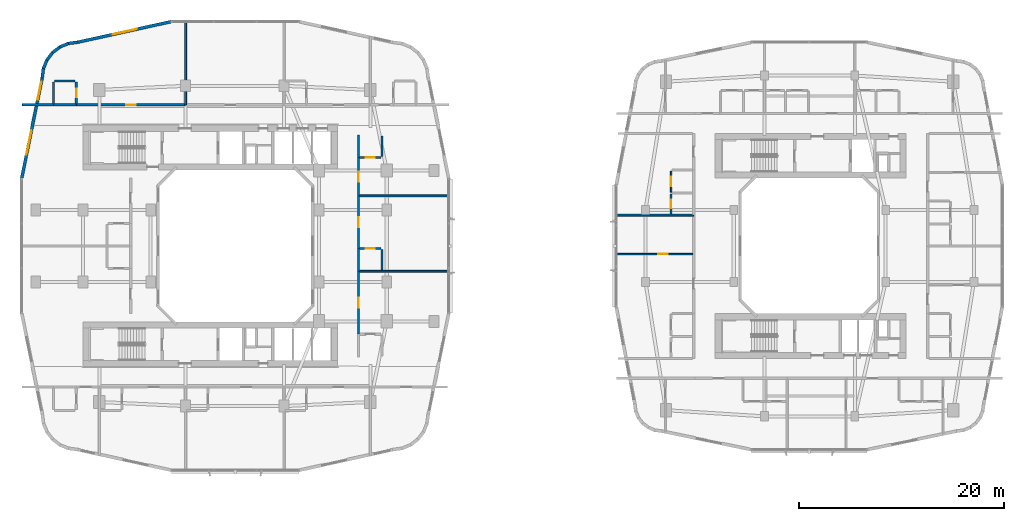
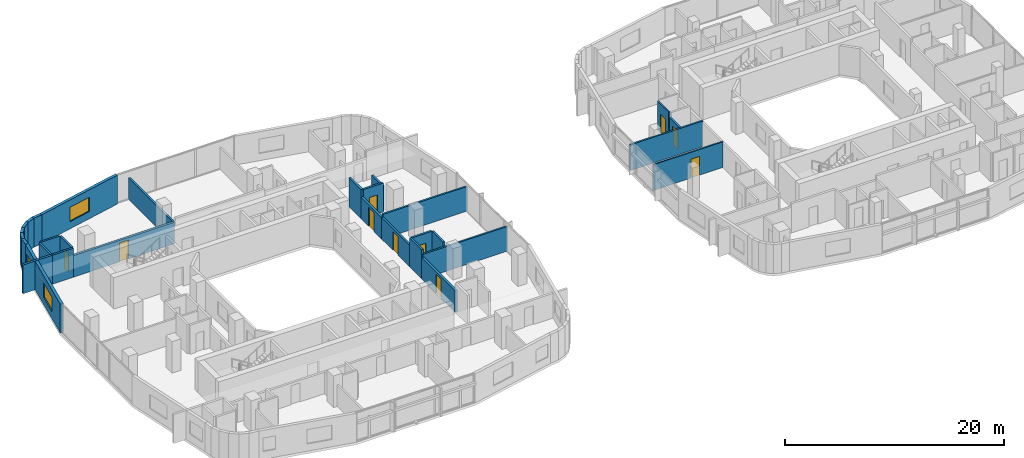
# One storey, part 16 of 27: 30 walls, 10 doors, 3 windows, 13 openings.
"""IFC4 building model written with IfcOpenShell, lengths in metres."""

from ifc_helpers import new_model, si_unit, derived_unit, direction, frame, frame_2d, origin, place, context, subcontext, project, spatial, rectangle, extrude, material, layer, layer_set, type_object, element, fill, save


model = new_model("IFC4")

# Units and contexts
model_context = context("Model", 3, precision=1e-05, world=origin(), true_north=direction((0.0, 1.0)))
body_context = subcontext(model_context, "Body", "Model", "MODEL_VIEW")
ifc_project = project(units=[si_unit("LENGTHUNIT", "METRE"), si_unit("AREAUNIT", "SQUARE_METRE"), si_unit("VOLUMEUNIT", "CUBIC_METRE"), si_unit("PLANEANGLEUNIT", "RADIAN"), si_unit("MASSUNIT", "GRAM", prefix="KILO"), derived_unit("THERMALTRANSMITTANCEUNIT", [(si_unit("POWERUNIT", "WATT"), 1), (si_unit("LENGTHUNIT", "METRE"), -2), (si_unit("THERMODYNAMICTEMPERATUREUNIT", "KELVIN"), -1)])], contexts=[model_context])

# Site, building, storey
site_placement = place(None, origin())
site = spatial("IfcSite", under=ifc_project, at=site_placement, CompositionType="ELEMENT")
building_placement = place(site_placement, origin())
building = spatial("IfcBuilding", under=site, at=building_placement, Name="Kivonza Crest Hotel", CompositionType="ELEMENT")
storey_placement = place(building_placement, frame((0.0, 0.0, 31.0)))
storey = spatial("IfcBuildingStorey", under=building, at=storey_placement, Name="L07", CompositionType="ELEMENT", Elevation=31.0)

# Walls
ifc_material_1 = material(Name="High-density acoustic masonry inter-tenancy wall", Category="masonry")
ifc_layer_1 = layer(ifc_material_1, 0.179931640625)
ifc_layer_set_1 = layer_set([ifc_layer_1], Name="High-density acoustic masonry inter-tenancy wall")
wall_type_1 = type_object("IfcWallType", Name="WL-ACOU-180", PredefinedType="SOLIDWALL", material=ifc_layer_set_1)
wall_1_placement = place(storey_placement, frame((16.199951171875, 38.75, 0.0), z_axis=(0.0, 0.0, 1.0), x_axis=(0.0, 1.0, 0.0)))
element("IfcWall", 1, at=wall_1_placement, inside=storey, type_object=wall_type_1, Name="L07 interior partition WA-L07-T1N-DIV1", PredefinedType="SOLIDWALL", context=body_context, shape_type="SweptSolid", body=[
    extrude(rectangle(XDim=8.18994140625, YDim=0.179931640625, at=frame_2d((4.094970703125, 0.0))), origin(), (0.0, 0.0, 1.0), 2.39501953125),
])
for number, where, z_axis, x_axis, name in (
    (2, (33.050048828125, 22.533935546875, 0.0), (0.0, 0.0, 1.0), (1.0, 0.0, 0.0), "L07 interior partition WA-L07-T1E-DIV1"),
    (3, (33.050048828125, 29.8779296875, 0.0), (0.0, 0.0, 1.0), (1.0, 0.0, 0.0), "L07 interior partition WA-L07-T1E-DIV2"),
):
    element("IfcWall", number, at=place(storey_placement, frame(where, z_axis=z_axis, x_axis=x_axis)), inside=storey, type_object=wall_type_1, Name=name, PredefinedType="SOLIDWALL", context=body_context, shape_type="SweptSolid", body=[
        extrude(rectangle(XDim=8.889892578125, YDim=0.179931640625, at=frame_2d((4.44482421875, 0.0))), origin(), (0.0, 0.0, 1.0), 2.7451171875),
    ])
wall_2_placement = place(storey_placement, frame((58.06005859375, 28.0, 0.0), z_axis=(0.0, 0.0, 1.0), x_axis=(1.0, 0.0, 0.0)))
element("IfcWall", 4, at=wall_2_placement, inside=storey, type_object=wall_type_1, Name="L07 interior partition WA-L07-T2W-DIV1", PredefinedType="SOLIDWALL", context=body_context, shape_type="SweptSolid", body=[
    extrude(rectangle(XDim=7.639892578125, YDim=0.179931640625, at=frame_2d((3.81982421875, 0.0))), origin(), (0.0, 0.0, 1.0), 2.864990234375),
])
ifc_material_2 = material(Name="Autoclaved aerated concrete blockwork", Category="masonry")
ifc_layer_2 = layer(ifc_material_2, 0.219970703125)
ifc_layer_set_2 = layer_set([ifc_layer_2], Name="Autoclaved aerated concrete blockwork")
wall_type_2 = type_object("IfcWallType", Name="WL-ACOU-220", PredefinedType="SOLIDWALL", material=ifc_layer_set_2)
wall_3_placement = place(storey_placement, frame((0.239990234375, 38.75, 0.0), z_axis=(0.0, 0.0, 1.0), x_axis=(1.0, 0.0, 0.0)))
element("IfcWall", 5, at=wall_3_placement, inside=storey, type_object=wall_type_2, Name="L07 interior partition WA-L07-N01-XCORR", PredefinedType="SOLIDWALL", context=body_context, shape_type="SweptSolid", body=[
    extrude(rectangle(XDim=3.110107421875, YDim=0.219970703125, at=frame_2d((1.55517578125, 0.0))), origin(), (0.0, 0.0, 1.0), 3.219970703125),
])
wall_4_placement = place(storey_placement, frame((3.35009765625, 38.75, 0.0), z_axis=(0.0, 0.0, 1.0), x_axis=(1.0, 0.0, 0.0)))
element("IfcWall", 6, at=wall_4_placement, inside=storey, type_object=wall_type_2, Name="L07 interior partition WA-L07-N01-BCORR", PredefinedType="SOLIDWALL", context=body_context, shape_type="SweptSolid", body=[
    extrude(rectangle(XDim=2.199951171875, YDim=0.219970703125, at=frame_2d((1.10009765625, 0.0))), origin(), (0.0, 0.0, 1.0), 3.219970703125),
])

# Wall, opening, door
wall_5_placement = place(storey_placement, frame((5.550048828125, 38.75, 0.0), z_axis=(0.0, 0.0, 1.0), x_axis=(1.0, 0.0, 0.0)))
wall_5 = element("IfcWall", 7, at=wall_5_placement, inside=storey, type_object=wall_type_2, Name="L07 interior partition WA-L07-N01-MCORR", PredefinedType="SOLIDWALL", context=body_context, shape_type="SweptSolid", body=[
    extrude(rectangle(XDim=10.64990234375, YDim=0.219970703125, at=frame_2d((5.324951171875, 0.0))), origin(), (0.0, 0.0, 1.0), 2.39501953125),
])
opening_1_placement = place(wall_5_placement, frame((4.85009765625, 0.0, 0.0)))
opening_1 = element("IfcOpeningElement", 8, at=opening_1_placement, cuts=wall_5, Name="Opening DU-60", PredefinedType="OPENING", context=body_context, shape_type="SweptSolid", body=[
    extrude(rectangle(XDim=0.949951171875, YDim=2.10009765625, at=frame_2d((0.47509765625, 1.050048828125))), frame((0.0, 0.1201171875, 0.0), z_axis=(0.0, -1.0, 0.0), x_axis=(1.0, 0.0, 0.0)), (0.0, 0.0, 1.0), 0.239990234375),
])
ifc_material_3 = material(Name="Hardwood timber oak", Category="wood")
door_type_1 = type_object("IfcDoorType", Name="DR-UNIT-950", OperationType="NOTDEFINED", PredefinedType="DOOR", material=ifc_material_3)
door_1_placement = place(opening_1_placement, origin())
door_1 = element("IfcDoor", 9, at=door_1_placement, inside=storey, type_object=door_type_1, Name="L07 N01 guest unit entrance fire door", OperationType="SINGLE_SWING_LEFT", OverallHeight=2.10009765625, OverallWidth=0.949951171875, PredefinedType="DOOR", context=body_context, shape_type="SweptSolid", body=[
    extrude(rectangle(XDim=0.949951171875, YDim=2.10009765625, at=frame_2d((0.47509765625, 1.050048828125))), frame((0.0, 0.02490234375, 0.0), z_axis=(0.0, -1.0, 0.0), x_axis=(1.0, 0.0, 0.0)), (0.0, 0.0, 1.0), 0.050048828125),
])
fill(opening_1, door_1)

wall_6_placement = place(storey_placement, frame((33.050048828125, 16.39990234375, 0.0), z_axis=(0.0, 0.0, 1.0), x_axis=(0.0, 1.0, 0.0)))
wall_6 = element("IfcWall", 10, at=wall_6_placement, inside=storey, type_object=wall_type_2, Name="L07 interior partition WA-L07-E10-MCORR", PredefinedType="SOLIDWALL", context=body_context, shape_type="SweptSolid", body=[
    extrude(rectangle(XDim=6.134033203125, YDim=0.219970703125, at=frame_2d((3.06689453125, 0.0))), origin(), (0.0, 0.0, 1.0), 2.39501953125),
])
opening_2_placement = place(wall_6_placement, frame((2.592041015625, 0.0, 0.0)))
opening_2 = element("IfcOpeningElement", 11, at=opening_2_placement, cuts=wall_6, Name="Opening DU-60", PredefinedType="OPENING", context=body_context, shape_type="SweptSolid", body=[
    extrude(rectangle(XDim=0.949951171875, YDim=2.10009765625, at=frame_2d((0.47509765625, 1.050048828125))), frame((0.0, 0.1201171875, 0.0), z_axis=(0.0, -1.0, 0.0), x_axis=(1.0, 0.0, 0.0)), (0.0, 0.0, 1.0), 0.239990234375),
])
door_2_placement = place(opening_2_placement, frame((0.949951171875, 0.0, 0.0), z_axis=(0.0, 0.0, 1.0), x_axis=(-1.0, 0.0, 0.0)))
door_2 = element("IfcDoor", 12, at=door_2_placement, inside=storey, type_object=door_type_1, Name="L07 E10 guest unit entrance fire door", OperationType="SINGLE_SWING_RIGHT", OverallHeight=2.10009765625, OverallWidth=0.949951171875, PredefinedType="DOOR", context=body_context, shape_type="SweptSolid", body=[
    extrude(rectangle(XDim=0.949951171875, YDim=2.10009765625, at=frame_2d((0.47509765625, 1.050048828125))), frame((0.0, 0.02490234375, 0.0), z_axis=(0.0, -1.0, 0.0), x_axis=(1.0, 0.0, 0.0)), (0.0, 0.0, 1.0), 0.050048828125),
])
fill(opening_2, door_2)

# Wall
wall_7_placement = place(storey_placement, frame((33.050048828125, 22.533935546875, 0.0), z_axis=(0.0, 0.0, 1.0), x_axis=(0.0, 1.0, 0.0)))
element("IfcWall", 13, at=wall_7_placement, inside=storey, type_object=wall_type_2, Name="L07 interior partition WA-L07-E11-BCORR", PredefinedType="SOLIDWALL", context=body_context, shape_type="SweptSolid", body=[
    extrude(rectangle(XDim=2.199951171875, YDim=0.219970703125, at=frame_2d((1.10009765625, 0.0))), origin(), (0.0, 0.0, 1.0), 3.219970703125),
])

# Wall, opening, door
wall_8_placement = place(storey_placement, frame((33.050048828125, 24.73388671875, 0.0), z_axis=(0.0, 0.0, 1.0), x_axis=(0.0, 1.0, 0.0)))
wall_8 = element("IfcWall", 14, at=wall_8_placement, inside=storey, type_object=wall_type_2, Name="L07 interior partition WA-L07-E11-MCORR", PredefinedType="SOLIDWALL", context=body_context, shape_type="SweptSolid", body=[
    extrude(rectangle(XDim=5.14404296875, YDim=0.219970703125, at=frame_2d((2.572021484375, 0.0))), origin(), (0.0, 0.0, 1.0), 2.39501953125),
])
opening_3_placement = place(wall_8_placement, frame((2.096923828125, 0.0, 0.0)))
opening_3 = element("IfcOpeningElement", 15, at=opening_3_placement, cuts=wall_8, Name="Opening DU-60", PredefinedType="OPENING", context=body_context, shape_type="SweptSolid", body=[
    extrude(rectangle(XDim=0.949951171875, YDim=2.10009765625, at=frame_2d((0.47509765625, 1.050048828125))), frame((0.0, 0.1201171875, 0.0), z_axis=(0.0, -1.0, 0.0), x_axis=(1.0, 0.0, 0.0)), (0.0, 0.0, 1.0), 0.239990234375),
])
door_3_placement = place(opening_3_placement, frame((0.949951171875, 0.0, 0.0), z_axis=(0.0, 0.0, 1.0), x_axis=(-1.0, 0.0, 0.0)))
door_3 = element("IfcDoor", 16, at=door_3_placement, inside=storey, type_object=door_type_1, Name="L07 E11 guest unit entrance fire door", OperationType="SINGLE_SWING_LEFT", OverallHeight=2.10009765625, OverallWidth=0.949951171875, PredefinedType="DOOR", context=body_context, shape_type="SweptSolid", body=[
    extrude(rectangle(XDim=0.949951171875, YDim=2.10009765625, at=frame_2d((0.47509765625, 1.050048828125))), frame((0.0, 0.02490234375, 0.0), z_axis=(0.0, -1.0, 0.0), x_axis=(1.0, 0.0, 0.0)), (0.0, 0.0, 1.0), 0.050048828125),
])
fill(opening_3, door_3)

# Wall
wall_9_placement = place(storey_placement, frame((33.050048828125, 33.60009765625, 0.0), z_axis=(0.0, 0.0, 1.0), x_axis=(0.0, 1.0, 0.0)))
element("IfcWall", 17, at=wall_9_placement, inside=storey, type_object=wall_type_2, Name="L07 interior partition WA-L07-E12-BCORR", PredefinedType="SOLIDWALL", context=body_context, shape_type="SweptSolid", body=[
    extrude(rectangle(XDim=2.199951171875, YDim=0.219970703125, at=frame_2d((1.10009765625, 0.0))), origin(), (0.0, 0.0, 1.0), 3.219970703125),
])

# Wall, opening, door
wall_10_placement = place(storey_placement, frame((33.050048828125, 29.8779296875, 0.0), z_axis=(0.0, 0.0, 1.0), x_axis=(0.0, 1.0, 0.0)))
wall_10 = element("IfcWall", 18, at=wall_10_placement, inside=storey, type_object=wall_type_2, Name="L07 interior partition WA-L07-E12-MCORR", PredefinedType="SOLIDWALL", context=body_context, shape_type="SweptSolid", body=[
    extrude(rectangle(XDim=3.72216796875, YDim=0.219970703125, at=frame_2d((1.861083984375, 0.0))), origin(), (0.0, 0.0, 1.0), 2.39501953125),
])
opening_4_placement = place(wall_10_placement, frame((1.385986328125, 0.0, 0.0)))
opening_4 = element("IfcOpeningElement", 19, at=opening_4_placement, cuts=wall_10, Name="Opening DU-60", PredefinedType="OPENING", context=body_context, shape_type="SweptSolid", body=[
    extrude(rectangle(XDim=0.949951171875, YDim=2.10009765625, at=frame_2d((0.47509765625, 1.050048828125))), frame((0.0, 0.1201171875, 0.0), z_axis=(0.0, -1.0, 0.0), x_axis=(1.0, 0.0, 0.0)), (0.0, 0.0, 1.0), 0.239990234375),
])
door_4_placement = place(opening_4_placement, frame((0.949951171875, 0.0, 0.0), z_axis=(0.0, 0.0, 1.0), x_axis=(-1.0, 0.0, 0.0)))
door_4 = element("IfcDoor", 20, at=door_4_placement, inside=storey, type_object=door_type_1, Name="L07 E12 guest unit entrance fire door", OperationType="SINGLE_SWING_RIGHT", OverallHeight=2.10009765625, OverallWidth=0.949951171875, PredefinedType="DOOR", context=body_context, shape_type="SweptSolid", body=[
    extrude(rectangle(XDim=0.949951171875, YDim=2.10009765625, at=frame_2d((0.47509765625, 1.050048828125))), frame((0.0, 0.02490234375, 0.0), z_axis=(0.0, -1.0, 0.0), x_axis=(1.0, 0.0, 0.0)), (0.0, 0.0, 1.0), 0.050048828125),
])
fill(opening_4, door_4)

# Wall, opening, window
ifc_material_4 = material(Name="Precast concrete C40/50", Category="concrete")
ifc_layer_3 = layer(ifc_material_4, 0.300048828125)
ifc_layer_set_3 = layer_set([ifc_layer_3], Name="Precast concrete C40/50")
wall_type_3 = type_object("IfcWallType", Name="WL-EXT-300", PredefinedType="STANDARD", material=ifc_layer_set_3)
wall_11_placement = place(storey_placement, frame((14.837890625, 46.865966796875, 0.0), z_axis=(0.0, 0.0, 1.0), x_axis=(-0.9765437942, -0.215318875183, 0.0)))
wall_11 = element("IfcWall", 21, at=wall_11_placement, inside=storey, type_object=wall_type_3, Name="L07 T1 exterior insulated wall 27", PredefinedType="STANDARD", context=body_context, shape_type="SweptSolid", body=[
    extrude(rectangle(XDim=9.353271484375, YDim=0.300048828125, at=frame_2d((4.6767578125, 0.0))), origin(), (0.0, 0.0, 1.0), 3.219970703125),
])
opening_5_placement = place(wall_11_placement, frame((3.47705078125, 0.0, 0.800048828125)))
opening_5 = element("IfcOpeningElement", 22, at=opening_5_placement, cuts=wall_11, Name="Opening WN-05", PredefinedType="OPENING", context=body_context, shape_type="SweptSolid", body=[
    extrude(rectangle(XDim=2.39990234375, YDim=1.60009765625, at=frame_2d((1.199951171875, 0.800048828125))), frame((0.0, 0.16015625, 0.0), z_axis=(0.0, -1.0, 0.0), x_axis=(1.0, 0.0, 0.0)), (0.0, 0.0, 1.0), 0.320068359375),
])
ifc_material_5 = material(Name="Thermally broken bronze aluminium and low-E double glazing", Category="aluminium")
window_type_1 = type_object("IfcWindowType", Name="WN-240x160", PartitioningType="TRIPLE_PANEL_VERTICAL", PredefinedType="WINDOW", material=ifc_material_5)
window_1_placement = place(opening_5_placement, origin())
window_1 = element("IfcWindow", 23, at=window_1_placement, inside=storey, type_object=window_type_1, Name="L07 T1 facade window 27", OverallHeight=1.60009765625, OverallWidth=2.39990234375, PartitioningType="SINGLE_PANEL", PredefinedType="WINDOW", context=body_context, shape_type="SweptSolid", body=[
    extrude(rectangle(XDim=2.39990234375, YDim=1.60009765625, at=frame_2d((1.199951171875, 0.800048828125))), frame((0.0, 0.030029296875, 0.0), z_axis=(0.0, -1.0, 0.0), x_axis=(1.0, 0.0, 0.0)), (0.0, 0.0, 1.0), 0.06005859375),
])
fill(opening_5, window_1)

# Walls
wall_12_placement = place(storey_placement, frame((5.7080078125, 44.85205078125, 0.0), z_axis=(0.0, 0.0, 1.0), x_axis=(-0.991359246108, -0.131174864804, 0.0)))
element("IfcWall", 24, at=wall_12_placement, inside=storey, type_object=wall_type_3, Name="L07 T1 exterior insulated wall 28", PredefinedType="STANDARD", context=body_context, shape_type="SweptSolid", body=[
    extrude(rectangle(XDim=0.93798828125, YDim=0.300048828125, at=frame_2d((0.468994140625, 0.0))), origin(), (0.0, 0.0, 1.0), 3.219970703125),
])
wall_13_placement = place(storey_placement, frame((4.827880859375, 44.748046875, 0.0), z_axis=(0.0, 0.0, 1.0), x_axis=(-0.923982547689, -0.382434636986, 0.0)))
element("IfcWall", 25, at=wall_13_placement, inside=storey, type_object=wall_type_3, Name="L07 T1 exterior insulated wall 29", PredefinedType="STANDARD", context=body_context, shape_type="SweptSolid", body=[
    extrude(rectangle(XDim=0.954345703125, YDim=0.300048828125, at=frame_2d((0.47705078125, 0.0))), origin(), (0.0, 0.0, 1.0), 3.219970703125),
])
for number, where, z_axis, x_axis, name in (
    (26, (3.990966796875, 44.4140625, 0.0), (0.0, 0.0, 1.0), (-0.793668068435, -0.608351047625, 0.0), "L07 T1 exterior insulated wall 30"),
    (27, (3.26806640625, 43.875, 0.0), (0.0, 0.0, 1.0), (-0.608351047625, -0.793668068435, 0.0), "L07 T1 exterior insulated wall 31"),
):
    element("IfcWall", number, at=place(storey_placement, frame(where, z_axis=z_axis, x_axis=x_axis)), inside=storey, type_object=wall_type_3, Name=name, PredefinedType="STANDARD", context=body_context, shape_type="SweptSolid", body=[
        extrude(rectangle(XDim=0.955078125, YDim=0.300048828125, at=frame_2d((0.4775390625, 0.0))), origin(), (0.0, 0.0, 1.0), 3.219970703125),
    ])
wall_14_placement = place(storey_placement, frame((2.7109375, 43.166015625, 0.0), z_axis=(0.0, 0.0, 1.0), x_axis=(-0.382344263057, -0.924019948111, 0.0)))
element("IfcWall", 28, at=wall_14_placement, inside=storey, type_object=wall_type_3, Name="L07 T1 exterior insulated wall 32", PredefinedType="STANDARD", context=body_context, shape_type="SweptSolid", body=[
    extrude(rectangle(XDim=0.95458984375, YDim=0.300048828125, at=frame_2d((0.477294921875, 0.0))), origin(), (0.0, 0.0, 1.0), 3.219970703125),
])
wall_15_placement = place(storey_placement, frame((2.35498046875, 42.3369140625, 0.0), z_axis=(0.0, 0.0, 1.0), x_axis=(-0.130454512571, -0.991454295543, 0.0)))
element("IfcWall", 29, at=wall_15_placement, inside=storey, type_object=wall_type_3, Name="L07 T1 exterior insulated wall 33", PredefinedType="STANDARD", context=body_context, shape_type="SweptSolid", body=[
    extrude(rectangle(XDim=0.97314453125, YDim=0.300048828125, at=frame_2d((0.486572265625, 0.0))), origin(), (0.0, 0.0, 1.0), 3.219970703125),
])

# Wall, openings, windows
wall_16_placement = place(storey_placement, frame((2.22900390625, 41.3779296875, 0.0), z_axis=(0.0, 0.0, 1.0), x_axis=(-0.199990901713, -0.979797754249, 0.0)))
wall_16 = element("IfcWall", 30, at=wall_16_placement, inside=storey, type_object=wall_type_3, Name="L07 T1 exterior insulated wall 34", PredefinedType="STANDARD", context=body_context, shape_type="SweptSolid", body=[
    extrude(rectangle(XDim=10.065185546875, YDim=0.300048828125, at=frame_2d((5.03271484375, 0.0))), origin(), (0.0, 0.0, 1.0), 3.219970703125),
])
opening_6_placement = place(wall_16_placement, frame((0.3779296875, 0.0, 0.85009765625)))
opening_6 = element("IfcOpeningElement", 31, at=opening_6_placement, cuts=wall_16, Name="Opening WN-03", PredefinedType="OPENING", context=body_context, shape_type="SweptSolid", body=[
    extrude(rectangle(XDim=1.800048828125, YDim=1.5, at=frame_2d((0.89990234375, 0.75))), frame((0.0, 0.16015625, 0.0), z_axis=(0.0, -1.0, 0.0), x_axis=(1.0, 0.0, 0.0)), (0.0, 0.0, 1.0), 0.320068359375),
])
opening_7_placement = place(wall_16_placement, frame((5.236083984375, 0.0, 0.800048828125)))
opening_7 = element("IfcOpeningElement", 32, at=opening_7_placement, cuts=wall_16, Name="Opening WN-05", PredefinedType="OPENING", context=body_context, shape_type="SweptSolid", body=[
    extrude(rectangle(XDim=2.39990234375, YDim=1.60009765625, at=frame_2d((1.199951171875, 0.800048828125))), frame((0.0, 0.16015625, 0.0), z_axis=(0.0, -1.0, 0.0), x_axis=(1.0, 0.0, 0.0)), (0.0, 0.0, 1.0), 0.320068359375),
])
window_type_2 = type_object("IfcWindowType", Name="WN-180x150", PartitioningType="DOUBLE_PANEL_VERTICAL", PredefinedType="WINDOW", material=ifc_material_5)
window_2_placement = place(opening_6_placement, origin())
window_2 = element("IfcWindow", 33, at=window_2_placement, inside=storey, type_object=window_type_2, Name="L07 T1 facade window 34 bay 1", OverallHeight=1.5, OverallWidth=1.800048828125, PartitioningType="SINGLE_PANEL", PredefinedType="WINDOW", context=body_context, shape_type="SweptSolid", body=[
    extrude(rectangle(XDim=1.800048828125, YDim=1.5, at=frame_2d((0.89990234375, 0.75))), frame((0.0, 0.030029296875, 0.0), z_axis=(0.0, -1.0, 0.0), x_axis=(1.0, 0.0, 0.0)), (0.0, 0.0, 1.0), 0.06005859375),
])
fill(opening_6, window_2)
window_3_placement = place(opening_7_placement, origin())
window_3 = element("IfcWindow", 34, at=window_3_placement, inside=storey, type_object=window_type_1, Name="L07 T1 facade window 34 bay 2", OverallHeight=1.60009765625, OverallWidth=2.39990234375, PartitioningType="SINGLE_PANEL", PredefinedType="WINDOW", context=body_context, shape_type="SweptSolid", body=[
    extrude(rectangle(XDim=2.39990234375, YDim=1.60009765625, at=frame_2d((1.199951171875, 0.800048828125))), frame((0.0, 0.030029296875, 0.0), z_axis=(0.0, -1.0, 0.0), x_axis=(1.0, 0.0, 0.0)), (0.0, 0.0, 1.0), 0.06005859375),
])
fill(opening_7, window_3)

# Wall, opening, door
ifc_material_6 = material(Name="Twin-stud acoustic gypsum board partition", Category="gypsum")
ifc_layer_4 = layer(ifc_material_6, 0.14990234375)
ifc_layer_set_4 = layer_set([ifc_layer_4], Name="Twin-stud acoustic gypsum board partition")
wall_type_4 = type_object("IfcWallType", Name="WL-PART-150", PredefinedType="PARTITIONING", material=ifc_layer_set_4)
wall_17_placement = place(storey_placement, frame((58.260009765625, 24.199951171875, 0.0), z_axis=(0.0, 0.0, 1.0), x_axis=(1.0, 0.0, 0.0)))
wall_17 = element("IfcWall", 35, at=wall_17_placement, inside=storey, type_object=wall_type_4, Name="L07 interior partition WP-L07-A06-BD1", PredefinedType="PARTITIONING", context=body_context, shape_type="SweptSolid", body=[
    extrude(rectangle(XDim=7.340087890625, YDim=0.14990234375, at=frame_2d((3.669921875, 0.0))), origin(), (0.0, 0.0, 1.0), 2.864990234375),
])
opening_8_placement = place(wall_17_placement, frame((3.989990234375, 0.0, 0.0)))
opening_8 = element("IfcOpeningElement", 36, at=opening_8_placement, cuts=wall_17, Name="Opening DI-90", PredefinedType="OPENING", context=body_context, shape_type="SweptSolid", body=[
    extrude(rectangle(XDim=0.89990234375, YDim=2.10009765625, at=frame_2d((0.449951171875, 1.050048828125))), frame((0.0, 0.0849609375, 0.0), z_axis=(0.0, -1.0, 0.0), x_axis=(1.0, 0.0, 0.0)), (0.0, 0.0, 1.0), 0.169921875),
])
door_type_2 = type_object("IfcDoorType", Name="DR-INT-900", OperationType="NOTDEFINED", PredefinedType="DOOR", material=ifc_material_3)
door_5_placement = place(opening_8_placement, origin())
door_5 = element("IfcDoor", 37, at=door_5_placement, inside=storey, type_object=door_type_2, Name="L07 A06 bedroom door", OperationType="SINGLE_SWING_LEFT", OverallHeight=2.10009765625, OverallWidth=0.89990234375, PredefinedType="DOOR", context=body_context, shape_type="SweptSolid", body=[
    extrude(rectangle(XDim=0.89990234375, YDim=2.10009765625, at=frame_2d((0.449951171875, 1.050048828125))), frame((0.0, 0.02490234375, 0.0), z_axis=(0.0, -1.0, 0.0), x_axis=(1.0, 0.0, 0.0)), (0.0, 0.0, 1.0), 0.050048828125),
])
fill(opening_8, door_5)

wall_18_placement = place(storey_placement, frame((63.5, 30.25, 0.0), z_axis=(0.0, 0.0, 1.0), x_axis=(0.0, 1.0, 0.0)))
wall_18 = element("IfcWall", 38, at=wall_18_placement, inside=storey, type_object=wall_type_4, Name="L07 interior partition WP-L07-A07-KSVC", PredefinedType="PARTITIONING", context=body_context, shape_type="SweptSolid", body=[
    extrude(rectangle(XDim=2.050048828125, YDim=0.14990234375, at=frame_2d((1.02490234375, 0.0))), origin(), (0.0, 0.0, 1.0), 3.219970703125),
])
opening_9_placement = place(wall_18_placement, frame((0.574951171875, 0.0, 0.0)))
opening_9 = element("IfcOpeningElement", 39, at=opening_9_placement, cuts=wall_18, Name="Opening DI-90", PredefinedType="OPENING", context=body_context, shape_type="SweptSolid", body=[
    extrude(rectangle(XDim=0.89990234375, YDim=2.10009765625, at=frame_2d((0.449951171875, 1.050048828125))), frame((0.0, 0.0849609375, 0.0), z_axis=(0.0, -1.0, 0.0), x_axis=(1.0, 0.0, 0.0)), (0.0, 0.0, 1.0), 0.169921875),
])
door_6_placement = place(opening_9_placement, origin())
door_6 = element("IfcDoor", 40, at=door_6_placement, inside=storey, type_object=door_type_2, Name="L07 A07 apartment kitchen door", OperationType="SINGLE_SWING_LEFT", OverallHeight=2.10009765625, OverallWidth=0.89990234375, PredefinedType="DOOR", context=body_context, shape_type="SweptSolid", body=[
    extrude(rectangle(XDim=0.89990234375, YDim=2.10009765625, at=frame_2d((0.449951171875, 1.050048828125))), frame((0.0, 0.02490234375, 0.0), z_axis=(0.0, -1.0, 0.0), x_axis=(1.0, 0.0, 0.0)), (0.0, 0.0, 1.0), 0.050048828125),
])
fill(opening_9, door_6)

ifc_material_7 = material(Name="Moisture-resistant plumbing chase partition wall", Category="gypsum")
ifc_layer_5 = layer(ifc_material_7, 0.199951171875)
ifc_layer_set_5 = layer_set([ifc_layer_5], Name="Moisture-resistant plumbing chase partition wall")
wall_type_5 = type_object("IfcWallType", Name="WL-PLUMB-200", PredefinedType="PLUMBINGWALL", material=ifc_layer_set_5)
wall_19_placement = place(storey_placement, frame((5.550048828125, 38.85009765625, 0.0), z_axis=(0.0, 0.0, 1.0), x_axis=(0.0, 1.0, 0.0)))
wall_19 = element("IfcWall", 41, at=wall_19_placement, inside=storey, type_object=wall_type_5, Name="L07 interior partition WW-L07-N01-BV", PredefinedType="PLUMBINGWALL", context=body_context, shape_type="SweptSolid", body=[
    extrude(rectangle(XDim=2.099853515625, YDim=0.199951171875, at=frame_2d((1.0498046875, 0.0))), origin(), (0.0, 0.0, 1.0), 3.219970703125),
])
opening_10_placement = place(wall_19_placement, frame((0.625, 0.0, 0.0)))
opening_10 = element("IfcOpeningElement", 42, at=opening_10_placement, cuts=wall_19, Name="Opening DI-85", PredefinedType="OPENING", context=body_context, shape_type="SweptSolid", body=[
    extrude(rectangle(XDim=0.85009765625, YDim=2.10009765625, at=frame_2d((0.425048828125, 1.050048828125))), frame((0.0, 0.10986328125, 0.0), z_axis=(0.0, -1.0, 0.0), x_axis=(1.0, 0.0, 0.0)), (0.0, 0.0, 1.0), 0.219970703125),
])
door_type_3 = type_object("IfcDoorType", Name="DR-INT-850", OperationType="NOTDEFINED", PredefinedType="DOOR", material=ifc_material_3)
door_7_placement = place(opening_10_placement, frame((0.85009765625, 0.0, 0.0), z_axis=(0.0, 0.0, 1.0), x_axis=(-1.0, 0.0, 0.0)))
door_7 = element("IfcDoor", 43, at=door_7_placement, inside=storey, type_object=door_type_3, Name="L07 N01 en-suite bathroom door", OperationType="SINGLE_SWING_RIGHT", OverallHeight=2.10009765625, OverallWidth=0.85009765625, PredefinedType="DOOR", context=body_context, shape_type="SweptSolid", body=[
    extrude(rectangle(XDim=0.85009765625, YDim=2.10009765625, at=frame_2d((0.425048828125, 1.050048828125))), frame((0.0, 0.02490234375, 0.0), z_axis=(0.0, -1.0, 0.0), x_axis=(1.0, 0.0, 0.0)), (0.0, 0.0, 1.0), 0.050048828125),
])
fill(opening_10, door_7)

# Walls
wall_20_placement = place(storey_placement, frame((3.449951171875, 41.050048828125, 0.0), z_axis=(0.0, 0.0, 1.0), x_axis=(1.0, 0.0, 0.0)))
element("IfcWall", 44, at=wall_20_placement, inside=storey, type_object=wall_type_5, Name="L07 interior partition WW-L07-N01-BH", PredefinedType="PLUMBINGWALL", context=body_context, shape_type="SweptSolid", body=[
    extrude(rectangle(XDim=2.0, YDim=0.199951171875, at=frame_2d((1.0, 0.0))), origin(), (0.0, 0.0, 1.0), 3.219970703125),
])
wall_21_placement = place(storey_placement, frame((3.35009765625, 38.85009765625, 0.0), z_axis=(0.0, 0.0, 1.0), x_axis=(0.0, 1.0, 0.0)))
element("IfcWall", 45, at=wall_21_placement, inside=storey, type_object=wall_type_5, Name="L07 interior partition WW-L07-N01-BVW", PredefinedType="PLUMBINGWALL", context=body_context, shape_type="SweptSolid", body=[
    extrude(rectangle(XDim=2.099853515625, YDim=0.199951171875, at=frame_2d((1.0498046875, 0.0))), origin(), (0.0, 0.0, 1.0), 3.219970703125),
])

# Wall, opening, door
wall_22_placement = place(storey_placement, frame((33.14990234375, 24.73388671875, 0.0), z_axis=(0.0, 0.0, 1.0), x_axis=(1.0, 0.0, 0.0)))
wall_22 = element("IfcWall", 46, at=wall_22_placement, inside=storey, type_object=wall_type_5, Name="L07 interior partition WW-L07-E11-BH", PredefinedType="PLUMBINGWALL", context=body_context, shape_type="SweptSolid", body=[
    extrude(rectangle(XDim=2.10009765625, YDim=0.199951171875, at=frame_2d((1.050048828125, 0.0))), origin(), (0.0, 0.0, 1.0), 3.219970703125),
])
opening_11_placement = place(wall_22_placement, frame((0.625, 0.0, 0.0)))
opening_11 = element("IfcOpeningElement", 47, at=opening_11_placement, cuts=wall_22, Name="Opening DI-85", PredefinedType="OPENING", context=body_context, shape_type="SweptSolid", body=[
    extrude(rectangle(XDim=0.85009765625, YDim=2.10009765625, at=frame_2d((0.425048828125, 1.050048828125))), frame((0.0, 0.10986328125, 0.0), z_axis=(0.0, -1.0, 0.0), x_axis=(1.0, 0.0, 0.0)), (0.0, 0.0, 1.0), 0.219970703125),
])
door_8_placement = place(opening_11_placement, origin())
door_8 = element("IfcDoor", 48, at=door_8_placement, inside=storey, type_object=door_type_3, Name="L07 E11 en-suite bathroom door", OperationType="SINGLE_SWING_RIGHT", OverallHeight=2.10009765625, OverallWidth=0.85009765625, PredefinedType="DOOR", context=body_context, shape_type="SweptSolid", body=[
    extrude(rectangle(XDim=0.85009765625, YDim=2.10009765625, at=frame_2d((0.425048828125, 1.050048828125))), frame((0.0, 0.02490234375, 0.0), z_axis=(0.0, -1.0, 0.0), x_axis=(1.0, 0.0, 0.0)), (0.0, 0.0, 1.0), 0.050048828125),
])
fill(opening_11, door_8)

# Wall
wall_23_placement = place(storey_placement, frame((35.35009765625, 22.634033203125, 0.0), z_axis=(0.0, 0.0, 1.0), x_axis=(0.0, 1.0, 0.0)))
element("IfcWall", 49, at=wall_23_placement, inside=storey, type_object=wall_type_5, Name="L07 interior partition WW-L07-E11-BV", PredefinedType="PLUMBINGWALL", context=body_context, shape_type="SweptSolid", body=[
    extrude(rectangle(XDim=2.0, YDim=0.199951171875, at=frame_2d((1.0, 0.0))), origin(), (0.0, 0.0, 1.0), 3.219970703125),
])

# Wall, opening, door
wall_24_placement = place(storey_placement, frame((33.14990234375, 33.60009765625, 0.0), z_axis=(0.0, 0.0, 1.0), x_axis=(1.0, 0.0, 0.0)))
wall_24 = element("IfcWall", 50, at=wall_24_placement, inside=storey, type_object=wall_type_5, Name="L07 interior partition WW-L07-E12-BH", PredefinedType="PLUMBINGWALL", context=body_context, shape_type="SweptSolid", body=[
    extrude(rectangle(XDim=2.10009765625, YDim=0.199951171875, at=frame_2d((1.050048828125, 0.0))), origin(), (0.0, 0.0, 1.0), 3.219970703125),
])
opening_12_placement = place(wall_24_placement, frame((0.625, 0.0, 0.0)))
opening_12 = element("IfcOpeningElement", 51, at=opening_12_placement, cuts=wall_24, Name="Opening DI-85", PredefinedType="OPENING", context=body_context, shape_type="SweptSolid", body=[
    extrude(rectangle(XDim=0.85009765625, YDim=2.10009765625, at=frame_2d((0.425048828125, 1.050048828125))), frame((0.0, 0.10986328125, 0.0), z_axis=(0.0, -1.0, 0.0), x_axis=(1.0, 0.0, 0.0)), (0.0, 0.0, 1.0), 0.219970703125),
])
door_9_placement = place(opening_12_placement, frame((0.85009765625, 0.0, 0.0), z_axis=(0.0, 0.0, 1.0), x_axis=(-1.0, 0.0, 0.0)))
door_9 = element("IfcDoor", 52, at=door_9_placement, inside=storey, type_object=door_type_3, Name="L07 E12 en-suite bathroom door", OperationType="SINGLE_SWING_LEFT", OverallHeight=2.10009765625, OverallWidth=0.85009765625, PredefinedType="DOOR", context=body_context, shape_type="SweptSolid", body=[
    extrude(rectangle(XDim=0.85009765625, YDim=2.10009765625, at=frame_2d((0.425048828125, 1.050048828125))), frame((0.0, 0.02490234375, 0.0), z_axis=(0.0, -1.0, 0.0), x_axis=(1.0, 0.0, 0.0)), (0.0, 0.0, 1.0), 0.050048828125),
])
fill(opening_12, door_9)

# Wall
wall_25_placement = place(storey_placement, frame((35.35009765625, 33.699951171875, 0.0), z_axis=(0.0, 0.0, 1.0), x_axis=(0.0, 1.0, 0.0)))
element("IfcWall", 53, at=wall_25_placement, inside=storey, type_object=wall_type_5, Name="L07 interior partition WW-L07-E12-BV", PredefinedType="PLUMBINGWALL", context=body_context, shape_type="SweptSolid", body=[
    extrude(rectangle(XDim=2.0, YDim=0.199951171875, at=frame_2d((1.0, 0.0))), origin(), (0.0, 0.0, 1.0), 2.7451171875),
])

# Wall, opening, door
wall_26_placement = place(storey_placement, frame((63.5, 28.10009765625, 0.0), z_axis=(0.0, 0.0, 1.0), x_axis=(0.0, 1.0, 0.0)))
wall_26 = element("IfcWall", 54, at=wall_26_placement, inside=storey, type_object=wall_type_5, Name="L07 interior partition WW-L07-A07-BSVC", PredefinedType="PLUMBINGWALL", context=body_context, shape_type="SweptSolid", body=[
    extrude(rectangle(XDim=1.949951171875, YDim=0.199951171875, at=frame_2d((0.97509765625, 0.0))), origin(), (0.0, 0.0, 1.0), 2.72509765625),
])
opening_13_placement = place(wall_26_placement, frame((0.550048828125, 0.0, 0.0)))
opening_13 = element("IfcOpeningElement", 55, at=opening_13_placement, cuts=wall_26, Name="Opening DI-85", PredefinedType="OPENING", context=body_context, shape_type="SweptSolid", body=[
    extrude(rectangle(XDim=0.85009765625, YDim=2.10009765625, at=frame_2d((0.425048828125, 1.050048828125))), frame((0.0, 0.10986328125, 0.0), z_axis=(0.0, -1.0, 0.0), x_axis=(1.0, 0.0, 0.0)), (0.0, 0.0, 1.0), 0.219970703125),
])
door_10_placement = place(opening_13_placement, origin())
door_10 = element("IfcDoor", 56, at=door_10_placement, inside=storey, type_object=door_type_3, Name="L07 A07 apartment bathroom door", OperationType="SINGLE_SWING_RIGHT", OverallHeight=2.10009765625, OverallWidth=0.85009765625, PredefinedType="DOOR", context=body_context, shape_type="SweptSolid", body=[
    extrude(rectangle(XDim=0.85009765625, YDim=2.10009765625, at=frame_2d((0.425048828125, 1.050048828125))), frame((0.0, 0.02490234375, 0.0), z_axis=(0.0, -1.0, 0.0), x_axis=(1.0, 0.0, 0.0)), (0.0, 0.0, 1.0), 0.050048828125),
])
fill(opening_13, door_10)

save(model, "model.ifc")
